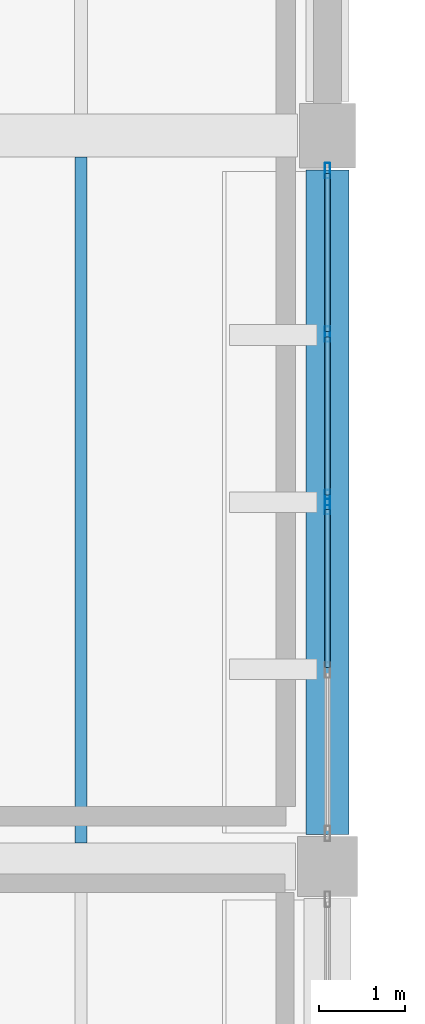
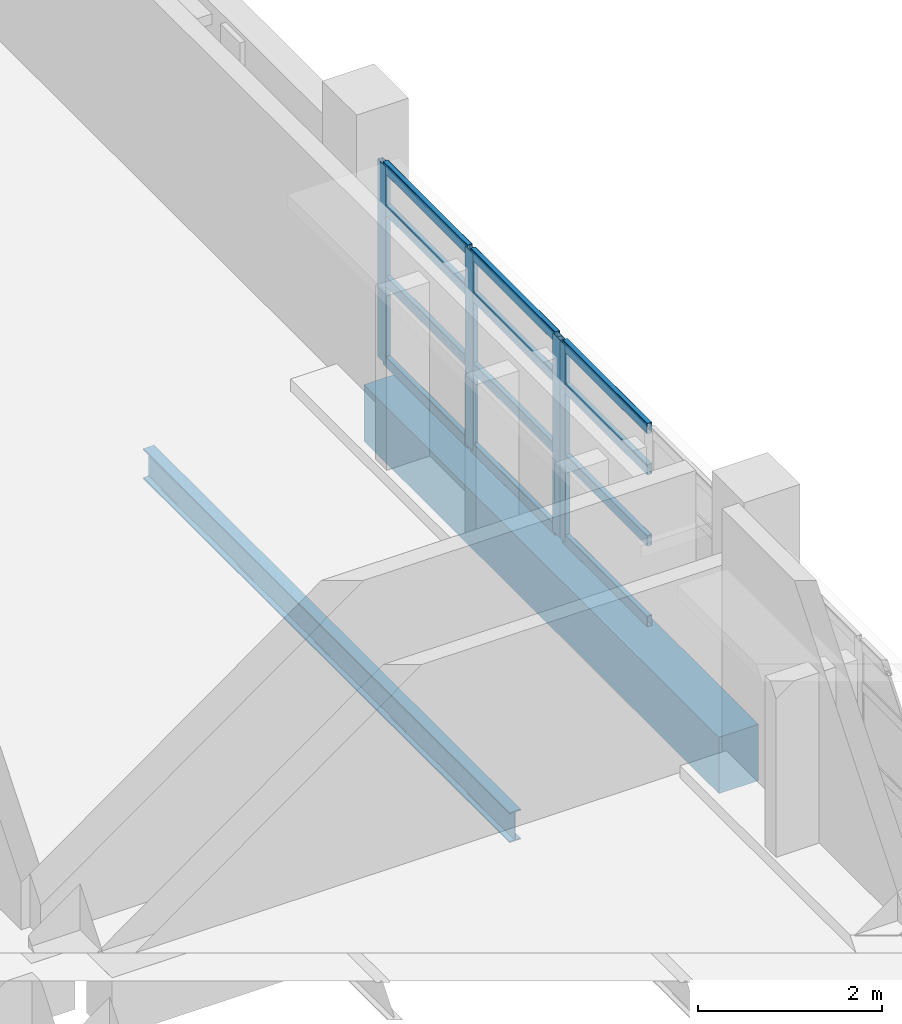
# One storey, part 24 of 75: 16 members, 2 beams, 2 elements without a shape of their own.
"""IFC4 building model written with IfcOpenShell, lengths in metres."""

import ifcopenshell
import ifcopenshell.guid

model = None  # the IFC model being written
_history = None  # IfcOwnerHistory: only IFC2X3 demands one
_inside = {}  # id of a spatial element -> (the spatial element, [elements in it])
_under = {}  # id of a project, library or spatial element -> (it, [spatial elements below it])
_declared = {}  # id of a project -> (the project, [libraries it declares])
_typed = {}  # id of a type object -> (the type object, [elements of that type])
_made_of = {}  # id of a material, layer set ... -> (it, [elements and type objects made of it])


def new_model(schema):
    """Start an empty IFC model of exactly this schema.

    Asked for "IFC4X3", IfcOpenShell would pick the latest addendum, in which some entities
    have other attributes; the version numbers below select the first issue.
    IFC2X3 requires an IfcOwnerHistory on every rooted entity: one is made here for all.
    """
    global model, _history
    if schema == "IFC4X3":
        model = ifcopenshell.file(schema_version=(4, 3, 0, 0))
    else:
        model = ifcopenshell.file(schema=schema)
    _inside.clear()
    _under.clear()
    _declared.clear()
    _typed.clear()
    _made_of.clear()
    _history = None
    if model.schema == "IFC2X3":
        org = make("IfcOrganization", Name="unknown")
        user = make(
            "IfcPersonAndOrganization",
            ThePerson=make("IfcPerson", FamilyName="unknown"),
            TheOrganization=org,
        )
        app = make(
            "IfcApplication",
            ApplicationDeveloper=org,
            Version="unknown",
            ApplicationFullName="unknown",
            ApplicationIdentifier="unknown",
        )
        _history = make(
            "IfcOwnerHistory",
            OwningUser=user,
            OwningApplication=app,
            ChangeAction="ADDED",
            CreationDate=0,
        )
    return model


def make(cls, **values):
    """One entity of the class cls with the attributes given. An attribute that is None is left unset."""
    return model.create_entity(
        cls, **{name: value for name, value in values.items() if value is not None}
    )


def rooted(cls, **values):
    """An entity with a GlobalId (a new one), such as an element, a storey or a relation."""
    return make(cls, GlobalId=ifcopenshell.guid.new(), OwnerHistory=_history, **values)


def si_unit(unit_type, name, prefix=None):
    """IfcSIUnit, for example si_unit("LENGTHUNIT", "METRE", prefix="MILLI")."""
    return make("IfcSIUnit", UnitType=unit_type, Prefix=prefix, Name=name)


def assignment(units):
    """IfcUnitAssignment: the units of a project."""
    return None if units is None else make("IfcUnitAssignment", Units=units)


def point(xyz):
    """IfcCartesianPoint."""
    return None if xyz is None else make("IfcCartesianPoint", Coordinates=xyz)


def direction(xyz):
    """IfcDirection."""
    return None if xyz is None else make("IfcDirection", DirectionRatios=xyz)


def frame(location, z_axis=None, x_axis=None):
    """IfcAxis2Placement3D, a coordinate frame: its origin and axes. An axis left out is left unset."""
    return make(
        "IfcAxis2Placement3D",
        Location=point(location),
        Axis=direction(z_axis),
        RefDirection=direction(x_axis),
    )


def frame_2d(location, x_axis=None):
    """IfcAxis2Placement2D, a coordinate frame in the plane: its origin and x axis."""
    return make(
        "IfcAxis2Placement2D", Location=point(location), RefDirection=direction(x_axis)
    )


def origin():
    """The frame at (0, 0, 0) with its axes left unset."""
    return frame((0.0, 0.0, 0.0))


def origin_2d():
    """The frame at (0, 0) in the plane with its x axis left unset."""
    return frame_2d((0.0, 0.0))


def place(relative_to, where):
    """IfcLocalPlacement: puts the frame where relative to a parent placement (None: the world)."""
    return make(
        "IfcLocalPlacement", PlacementRelTo=relative_to, RelativePlacement=where
    )


def context(
    kind, dimensions, precision=None, world=None, true_north=None, identifier=None
):
    """IfcGeometricRepresentationContext, for example the 3D "Model" context."""
    return make(
        "IfcGeometricRepresentationContext",
        ContextIdentifier=identifier,
        ContextType=kind,
        CoordinateSpaceDimension=dimensions,
        Precision=precision,
        WorldCoordinateSystem=world,
        TrueNorth=true_north,
    )


def subcontext(parent, identifier, kind, view, scale=None):
    """IfcGeometricRepresentationSubContext, for example "Body" below "Model"."""
    return make(
        "IfcGeometricRepresentationSubContext",
        ContextIdentifier=identifier,
        ContextType=kind,
        ParentContext=parent,
        TargetScale=scale,
        TargetView=view,
    )


def project(units=None, contexts=None):
    """IfcProject with its units and contexts."""
    return rooted(
        "IfcProject",
        Name="project",
        RepresentationContexts=contexts,
        UnitsInContext=assignment(units),
    )


def spatial(cls, under=None, at=None, **own):
    """A site, building, storey or space (cls), placed at a placement, below another one or the project."""
    s = rooted(cls, ObjectPlacement=at, **own)
    if under is not None:
        _under.setdefault(under.id(), (under, []))[1].append(s)
    return s


def profile(cls, at=None, kind="AREA", **sizes):
    """A parametric profile (cls). Its sizes go by their IFC names, for example OverallWidth=200.0."""
    return make(cls, ProfileType=kind, Position=at, **sizes)


def rectangle(**sizes):
    """IfcRectangleProfileDef."""
    return profile("IfcRectangleProfileDef", **sizes)


def hollow_rectangle(**sizes):
    """IfcRectangleHollowProfileDef."""
    return profile("IfcRectangleHollowProfileDef", **sizes)


def i_section(**sizes):
    """IfcIShapeProfileDef."""
    return profile("IfcIShapeProfileDef", **sizes)


def extrude(swept, where, along, depth):
    """IfcExtrudedAreaSolid: the profile swept, set in the frame where, extruded along a direction by depth."""
    return make(
        "IfcExtrudedAreaSolid",
        SweptArea=swept,
        Position=where,
        ExtrudedDirection=direction(along),
        Depth=depth,
    )


def shape(context_of_items, identifier, shape_type, items):
    """IfcShapeRepresentation: the items that make up one representation, for example the "Body"."""
    return make(
        "IfcShapeRepresentation",
        ContextOfItems=context_of_items,
        RepresentationIdentifier=identifier,
        RepresentationType=shape_type,
        Items=items,
    )


def material(Name=None, Category=None):
    """IfcMaterial."""
    return make("IfcMaterial", Name=Name, Category=Category)


def material_profile(
    of_material, cross_section, Name=None, Category=None, Priority=None
):
    """IfcMaterialProfile: a cross section and its material."""
    return make(
        "IfcMaterialProfile",
        Name=Name,
        Material=of_material,
        Profile=cross_section,
        Priority=Priority,
        Category=Category,
    )


def profile_set(profiles, Name=None, composite=None):
    """IfcMaterialProfileSet."""
    return make(
        "IfcMaterialProfileSet",
        Name=Name,
        MaterialProfiles=profiles,
        CompositeProfile=composite,
    )


def made_of(thing, what):
    """Note that an element or type object is made of a material, layer set ...; save() writes the relation."""
    if what is not None:
        _made_of.setdefault(what.id(), (what, []))[1].append(thing)
    return thing


def type_object(cls, material=None, **own):
    """A type object (cls), such as IfcWallType, which elements share."""
    return made_of(rooted(cls, **own), material)


def element(
    cls,
    number,
    at=None,
    inside=None,
    cuts=None,
    type_object=None,
    material=None,
    context=None,
    identifier="Body",
    shape_type=None,
    held_by="IfcProductDefinitionShape",
    body=None,
    shapes=None,
    **own,
):
    """One element of the class cls, such as IfcWall. Its Tag is "e" and its number.

    at: its placement. inside: the storey or other place that contains it. cuts: it is an
    opening in that element (IfcRelVoidsElement). A single representation is given by context,
    identifier, shape_type and body (its items); several are given by shapes. held_by: the class
    of the entity that holds the representations. save() writes the other relations.
    """
    e = rooted(cls, Tag="e%d" % number, ObjectPlacement=at, **own)
    if body is not None:
        shapes = [shape(context, identifier, shape_type, body)]
    if shapes is not None:
        e.Representation = make(held_by, Representations=shapes)
    if inside is not None:
        _inside.setdefault(inside.id(), (inside, []))[1].append(e)
    if cuts is not None:
        rooted(
            "IfcRelVoidsElement", RelatingBuildingElement=cuts, RelatedOpeningElement=e
        )
    if type_object is not None:
        _typed.setdefault(type_object.id(), (type_object, []))[1].append(e)
    return made_of(e, material)


def aggregate(whole, parts):
    """IfcRelAggregates: a whole, such as a stair, and the parts it consists of."""
    return rooted("IfcRelAggregates", RelatingObject=whole, RelatedObjects=parts)


def save(model, path):
    """Write the relations noted so far, then the file.

    IfcRelAggregates (storeys below a building ...), IfcRelContainedInSpatialStructure (elements
    in a storey), IfcRelDefinesByType, IfcRelAssociatesMaterial and IfcRelDeclares: one each for
    every whole, place, type object, material and project.
    """
    for whole, parts in _under.values():
        aggregate(whole, parts)
    for where, things in _inside.values():
        rooted(
            "IfcRelContainedInSpatialStructure",
            RelatedElements=things,
            RelatingStructure=where,
        )
    for kind, things in _typed.values():
        rooted("IfcRelDefinesByType", RelatedObjects=things, RelatingType=kind)
    for what, things in _made_of.values():
        rooted("IfcRelAssociatesMaterial", RelatedObjects=things, RelatingMaterial=what)
    for by, libraries in _declared.values():
        rooted("IfcRelDeclares", RelatingContext=by, RelatedDefinitions=libraries)
    model.write(path)


model = new_model("IFC4")

# Units and contexts
model_context = context("Model", 3, precision=1e-05, world=origin(), true_north=direction((0.0, 1.0)))
body_context = subcontext(model_context, "Body", "Model", "MODEL_VIEW")
ifc_project = project(units=[si_unit("LENGTHUNIT", "METRE"), si_unit("AREAUNIT", "SQUARE_METRE"), si_unit("VOLUMEUNIT", "CUBIC_METRE"), si_unit("PLANEANGLEUNIT", "RADIAN"), si_unit("MASSUNIT", "GRAM", prefix="KILO")], contexts=[model_context])

# Site, building, storey
site_placement = place(None, origin())
site = spatial("IfcSite", under=ifc_project, at=site_placement, CompositionType="ELEMENT")
building_placement = place(site_placement, origin())
building = spatial("IfcBuilding", under=site, at=building_placement, Name="Varnakota Cinema and Media Centre", CompositionType="ELEMENT")
storey_placement = place(building_placement, frame((0.0, 0.0, 8.39990234375)))
storey = spatial("IfcBuildingStorey", under=building, at=storey_placement, Name="L02", CompositionType="ELEMENT", Elevation=8.39990234375)

# Beams
ifc_material_1 = material(Name="Concrete M35", Category="concrete")
ifc_material_profile_1 = material_profile(ifc_material_1, rectangle(XDim=0.5, YDim=0.75, at=origin_2d()), Name="RCB 500x750")
ifc_profile_set_1 = profile_set([ifc_material_profile_1], Name="Concrete M35")
beam_type_1 = type_object("IfcBeamType", Name="BM-RC-500x750", PredefinedType="BEAM", material=ifc_profile_set_1)
beam_1_placement = place(storey_placement, frame((34.39990234375, 52.875, -0.625), z_axis=(0.0, 1.0, 0.0), x_axis=(-1.0, 0.0, 0.0)))
element("IfcBeam", 1, at=beam_1_placement, inside=storey, type_object=beam_type_1, Name="L02 girder E/7-8", PredefinedType="BEAM", context=body_context, shape_type="SweptSolid", body=[
    extrude(rectangle(XDim=0.5, YDim=0.75, at=origin_2d()), origin(), (0.0, 0.0, 1.0), 7.72509765625),
])
ifc_material_2 = material(Name="Structural steel Grade 350 (E350)", Category="steel")
ifc_material_profile_2 = material_profile(ifc_material_2, i_section(OverallWidth=0.139892578125, OverallDepth=0.39990234375, WebThickness=0.0087890625, FlangeThickness=0.01611328125, FilletRadius=0.013916015625, at=origin_2d()), Name="ISMB 400")
ifc_profile_set_2 = profile_set([ifc_material_profile_2], Name="Structural steel Grade 350 (E350)")
beam_type_2 = type_object("IfcBeamType", Name="BM-ST-ISMB400", PredefinedType="JOIST", material=ifc_profile_set_2)
beam_2_placement = place(storey_placement, frame((31.533203125, 52.77490234375, -0.449951171875), z_axis=(0.0, 1.0, 0.0), x_axis=(-1.0, 0.0, 0.0)))
element("IfcBeam", 2, at=beam_2_placement, inside=storey, type_object=beam_type_2, Name="L02 steel joist D-E/7-8 #2", PredefinedType="JOIST", context=body_context, shape_type="SweptSolid", body=[
    extrude(i_section(OverallWidth=0.139892578125, OverallDepth=0.39990234375, WebThickness=0.0087890625, FlangeThickness=0.01611328125, FilletRadius=0.013916015625, at=origin_2d()), origin(), (0.0, 0.0, 1.0), 7.97509765625),
])

# Curtain wall, member
ifc_material_3 = material(Name="Thermally broken anodised aluminium AW-6063", Category="aluminium")
curtain_wall_type = type_object("IfcCurtainWallType", Name="CW-STD-387x262", PredefinedType="USERDEFINED", material=ifc_material_3)
curtain_wall_1_placement = place(storey_placement, origin())
curtain_wall_1 = element("IfcCurtainWall", 3, at=curtain_wall_1_placement, inside=storey, type_object=curtain_wall_type, Name="L02 curtain wall CW-L02-V5-E-03-1", ObjectType="UNITISED CURTAIN WALL", PredefinedType="USERDEFINED")
ifc_material_4 = material(Name="Thermally broken anodised aluminium AW-6063", Category="aluminium")
ifc_material_profile_3 = material_profile(ifc_material_4, hollow_rectangle(XDim=0.06494140625, YDim=0.179931640625, WallThickness=0.00390625, InnerFilletRadius=0.00390625, OuterFilletRadius=0.008056640625, at=origin_2d()), Name="AL-MULLION 180x65x4")
ifc_profile_set_3 = profile_set([ifc_material_profile_3], Name="Thermally broken anodised aluminium AW-6063")
member_type_1 = type_object("IfcMemberType", Name="CWM-AL-180", PredefinedType="MULLION", material=ifc_profile_set_3)
member_1_placement = place(storey_placement, frame((34.39990234375, 56.68505859375, 0.0), z_axis=(0.0, 0.0, 1.0), x_axis=(-1.0, 0.0, 0.0)))
member_1 = element("IfcMember", 4, at=member_1_placement, type_object=member_type_1, Name="CW37 mullion 3", PredefinedType="MULLION", context=body_context, shape_type="SweptSolid", body=[
    extrude(hollow_rectangle(XDim=0.06494140625, YDim=0.179931640625, WallThickness=0.00390625, InnerFilletRadius=0.00390625, OuterFilletRadius=0.008056640625, at=origin_2d()), origin(), (0.0, 0.0, 1.0), 2.625),
])

# Curtain wall, members
curtain_wall_2_placement = place(storey_placement, origin())
curtain_wall_2 = element("IfcCurtainWall", 5, at=curtain_wall_2_placement, inside=storey, type_object=curtain_wall_type, Name="L02 curtain wall CW-L02-V5-E-03-2", ObjectType="UNITISED CURTAIN WALL", PredefinedType="USERDEFINED")
member_2_placement = place(storey_placement, frame((34.39990234375, 56.7900390625, 0.0), z_axis=(0.0, 0.0, 1.0), x_axis=(-1.0, 0.0, 0.0)))
member_2 = element("IfcMember", 6, at=member_2_placement, type_object=member_type_1, Name="CW37 mullion 1", PredefinedType="MULLION", context=body_context, shape_type="SweptSolid", body=[
    extrude(hollow_rectangle(XDim=0.06494140625, YDim=0.179931640625, WallThickness=0.00390625, InnerFilletRadius=0.00390625, OuterFilletRadius=0.008056640625, at=origin_2d()), origin(), (0.0, 0.0, 1.0), 2.625),
])
member_3_placement = place(storey_placement, frame((34.39990234375, 58.691162109375, 0.0), z_axis=(0.0, 0.0, 1.0), x_axis=(-1.0, 0.0, 0.0)))
member_3 = element("IfcMember", 7, at=member_3_placement, type_object=member_type_1, Name="CW37 mullion 2", PredefinedType="MULLION", context=body_context, shape_type="SweptSolid", body=[
    extrude(hollow_rectangle(XDim=0.06494140625, YDim=0.179931640625, WallThickness=0.00390625, InnerFilletRadius=0.00390625, OuterFilletRadius=0.008056640625, at=origin_2d()), origin(), (0.0, 0.0, 1.0), 2.625),
])
member_4_placement = place(storey_placement, frame((34.39990234375, 60.592529296875, 0.0), z_axis=(0.0, 0.0, 1.0), x_axis=(-1.0, 0.0, 0.0)))
member_4 = element("IfcMember", 8, at=member_4_placement, type_object=member_type_1, Name="CW37 mullion 3", PredefinedType="MULLION", context=body_context, shape_type="SweptSolid", body=[
    extrude(hollow_rectangle(XDim=0.06494140625, YDim=0.179931640625, WallThickness=0.00390625, InnerFilletRadius=0.00390625, OuterFilletRadius=0.008056640625, at=origin_2d()), origin(), (0.0, 0.0, 1.0), 2.625),
])

# Member
ifc_material_5 = material(Name="Thermally broken anodised aluminium AW-6063", Category="aluminium")
ifc_material_profile_4 = material_profile(ifc_material_5, hollow_rectangle(XDim=0.06494140625, YDim=0.139892578125, WallThickness=0.00390625, InnerFilletRadius=0.00390625, OuterFilletRadius=0.008056640625, at=origin_2d()), Name="AL-TRANSOM 140x65x4")
ifc_profile_set_4 = profile_set([ifc_material_profile_4], Name="Thermally broken anodised aluminium AW-6063")
member_type_2 = type_object("IfcMemberType", Name="CWT-AL-140", PredefinedType="USERDEFINED", material=ifc_profile_set_4)
member_5_placement = place(storey_placement, frame((34.39990234375, 54.816162109375, 0.03271484375), z_axis=(0.0, 1.0, 0.0), x_axis=(-1.0, 0.0, 0.0)))
member_5 = element("IfcMember", 9, at=member_5_placement, type_object=member_type_2, Name="CW37 transom 2.1", ObjectType="TRANSOM", PredefinedType="USERDEFINED", context=body_context, shape_type="SweptSolid", body=[
    extrude(hollow_rectangle(XDim=0.06494140625, YDim=0.139892578125, WallThickness=0.00390625, InnerFilletRadius=0.00390625, OuterFilletRadius=0.008056640625, at=origin_2d()), origin(), (0.0, 0.0, 1.0), 1.83642578125),
])

member_6_placement = place(storey_placement, frame((34.39990234375, 54.816162109375, 1.1025390625), z_axis=(0.0, 1.0, 0.0), x_axis=(-1.0, 0.0, 0.0)))
member_6 = element("IfcMember", 10, at=member_6_placement, type_object=member_type_2, Name="CW37 transom 2.2", ObjectType="TRANSOM", PredefinedType="USERDEFINED", context=body_context, shape_type="SweptSolid", body=[
    extrude(hollow_rectangle(XDim=0.06494140625, YDim=0.139892578125, WallThickness=0.00390625, InnerFilletRadius=0.00390625, OuterFilletRadius=0.008056640625, at=origin_2d()), origin(), (0.0, 0.0, 1.0), 1.83642578125),
])

member_7_placement = place(storey_placement, frame((34.39990234375, 54.816162109375, 2.047607421875), z_axis=(0.0, 1.0, 0.0), x_axis=(-1.0, 0.0, 0.0)))
member_7 = element("IfcMember", 11, at=member_7_placement, type_object=member_type_2, Name="CW37 transom 2.3", ObjectType="TRANSOM", PredefinedType="USERDEFINED", context=body_context, shape_type="SweptSolid", body=[
    extrude(hollow_rectangle(XDim=0.06494140625, YDim=0.139892578125, WallThickness=0.00390625, InnerFilletRadius=0.00390625, OuterFilletRadius=0.008056640625, at=origin_2d()), origin(), (0.0, 0.0, 1.0), 1.83642578125),
])

member_8_placement = place(storey_placement, frame((34.39990234375, 54.816162109375, 2.592529296875), z_axis=(0.0, 1.0, 0.0), x_axis=(-1.0, 0.0, 0.0)))
member_8 = element("IfcMember", 12, at=member_8_placement, type_object=member_type_2, Name="CW37 transom 2.4", ObjectType="TRANSOM", PredefinedType="USERDEFINED", context=body_context, shape_type="SweptSolid", body=[
    extrude(hollow_rectangle(XDim=0.06494140625, YDim=0.139892578125, WallThickness=0.00390625, InnerFilletRadius=0.00390625, OuterFilletRadius=0.008056640625, at=origin_2d()), origin(), (0.0, 0.0, 1.0), 1.83642578125),
])

aggregate(curtain_wall_1, [member_1, member_5, member_6, member_7, member_8])

member_9_placement = place(storey_placement, frame((34.39990234375, 56.822509765625, 0.03271484375), z_axis=(0.0, 1.0, 0.0), x_axis=(-1.0, 0.0, 0.0)))
member_9 = element("IfcMember", 13, at=member_9_placement, type_object=member_type_2, Name="CW37 transom 1.1", ObjectType="TRANSOM", PredefinedType="USERDEFINED", context=body_context, shape_type="SweptSolid", body=[
    extrude(hollow_rectangle(XDim=0.06494140625, YDim=0.139892578125, WallThickness=0.00390625, InnerFilletRadius=0.00390625, OuterFilletRadius=0.008056640625, at=origin_2d()), origin(), (0.0, 0.0, 1.0), 1.836181640625),
])

member_10_placement = place(storey_placement, frame((34.39990234375, 56.822509765625, 1.1025390625), z_axis=(0.0, 1.0, 0.0), x_axis=(-1.0, 0.0, 0.0)))
member_10 = element("IfcMember", 14, at=member_10_placement, type_object=member_type_2, Name="CW37 transom 1.2", ObjectType="TRANSOM", PredefinedType="USERDEFINED", context=body_context, shape_type="SweptSolid", body=[
    extrude(hollow_rectangle(XDim=0.06494140625, YDim=0.139892578125, WallThickness=0.00390625, InnerFilletRadius=0.00390625, OuterFilletRadius=0.008056640625, at=origin_2d()), origin(), (0.0, 0.0, 1.0), 1.836181640625),
])

member_11_placement = place(storey_placement, frame((34.39990234375, 56.822509765625, 2.047607421875), z_axis=(0.0, 1.0, 0.0), x_axis=(-1.0, 0.0, 0.0)))
member_11 = element("IfcMember", 15, at=member_11_placement, type_object=member_type_2, Name="CW37 transom 1.3", ObjectType="TRANSOM", PredefinedType="USERDEFINED", context=body_context, shape_type="SweptSolid", body=[
    extrude(hollow_rectangle(XDim=0.06494140625, YDim=0.139892578125, WallThickness=0.00390625, InnerFilletRadius=0.00390625, OuterFilletRadius=0.008056640625, at=origin_2d()), origin(), (0.0, 0.0, 1.0), 1.836181640625),
])

member_12_placement = place(storey_placement, frame((34.39990234375, 56.822509765625, 2.592529296875), z_axis=(0.0, 1.0, 0.0), x_axis=(-1.0, 0.0, 0.0)))
member_12 = element("IfcMember", 16, at=member_12_placement, type_object=member_type_2, Name="CW37 transom 1.4", ObjectType="TRANSOM", PredefinedType="USERDEFINED", context=body_context, shape_type="SweptSolid", body=[
    extrude(hollow_rectangle(XDim=0.06494140625, YDim=0.139892578125, WallThickness=0.00390625, InnerFilletRadius=0.00390625, OuterFilletRadius=0.008056640625, at=origin_2d()), origin(), (0.0, 0.0, 1.0), 1.836181640625),
])

member_13_placement = place(storey_placement, frame((34.39990234375, 58.7236328125, 0.03271484375), z_axis=(0.0, 1.0, 0.0), x_axis=(-1.0, 0.0, 0.0)))
member_13 = element("IfcMember", 17, at=member_13_placement, type_object=member_type_2, Name="CW37 transom 2.1", ObjectType="TRANSOM", PredefinedType="USERDEFINED", context=body_context, shape_type="SweptSolid", body=[
    extrude(hollow_rectangle(XDim=0.06494140625, YDim=0.139892578125, WallThickness=0.00390625, InnerFilletRadius=0.00390625, OuterFilletRadius=0.008056640625, at=origin_2d()), origin(), (0.0, 0.0, 1.0), 1.83642578125),
])

member_14_placement = place(storey_placement, frame((34.39990234375, 58.7236328125, 1.1025390625), z_axis=(0.0, 1.0, 0.0), x_axis=(-1.0, 0.0, 0.0)))
member_14 = element("IfcMember", 18, at=member_14_placement, type_object=member_type_2, Name="CW37 transom 2.2", ObjectType="TRANSOM", PredefinedType="USERDEFINED", context=body_context, shape_type="SweptSolid", body=[
    extrude(hollow_rectangle(XDim=0.06494140625, YDim=0.139892578125, WallThickness=0.00390625, InnerFilletRadius=0.00390625, OuterFilletRadius=0.008056640625, at=origin_2d()), origin(), (0.0, 0.0, 1.0), 1.83642578125),
])

member_15_placement = place(storey_placement, frame((34.39990234375, 58.7236328125, 2.047607421875), z_axis=(0.0, 1.0, 0.0), x_axis=(-1.0, 0.0, 0.0)))
member_15 = element("IfcMember", 19, at=member_15_placement, type_object=member_type_2, Name="CW37 transom 2.3", ObjectType="TRANSOM", PredefinedType="USERDEFINED", context=body_context, shape_type="SweptSolid", body=[
    extrude(hollow_rectangle(XDim=0.06494140625, YDim=0.139892578125, WallThickness=0.00390625, InnerFilletRadius=0.00390625, OuterFilletRadius=0.008056640625, at=origin_2d()), origin(), (0.0, 0.0, 1.0), 1.83642578125),
])

member_16_placement = place(storey_placement, frame((34.39990234375, 58.7236328125, 2.592529296875), z_axis=(0.0, 1.0, 0.0), x_axis=(-1.0, 0.0, 0.0)))
member_16 = element("IfcMember", 20, at=member_16_placement, type_object=member_type_2, Name="CW37 transom 2.4", ObjectType="TRANSOM", PredefinedType="USERDEFINED", context=body_context, shape_type="SweptSolid", body=[
    extrude(hollow_rectangle(XDim=0.06494140625, YDim=0.139892578125, WallThickness=0.00390625, InnerFilletRadius=0.00390625, OuterFilletRadius=0.008056640625, at=origin_2d()), origin(), (0.0, 0.0, 1.0), 1.83642578125),
])

aggregate(curtain_wall_2, [member_2, member_3, member_4, member_9, member_10, member_11, member_12, member_13, member_14, member_15, member_16])

save(model, "model.ifc")
